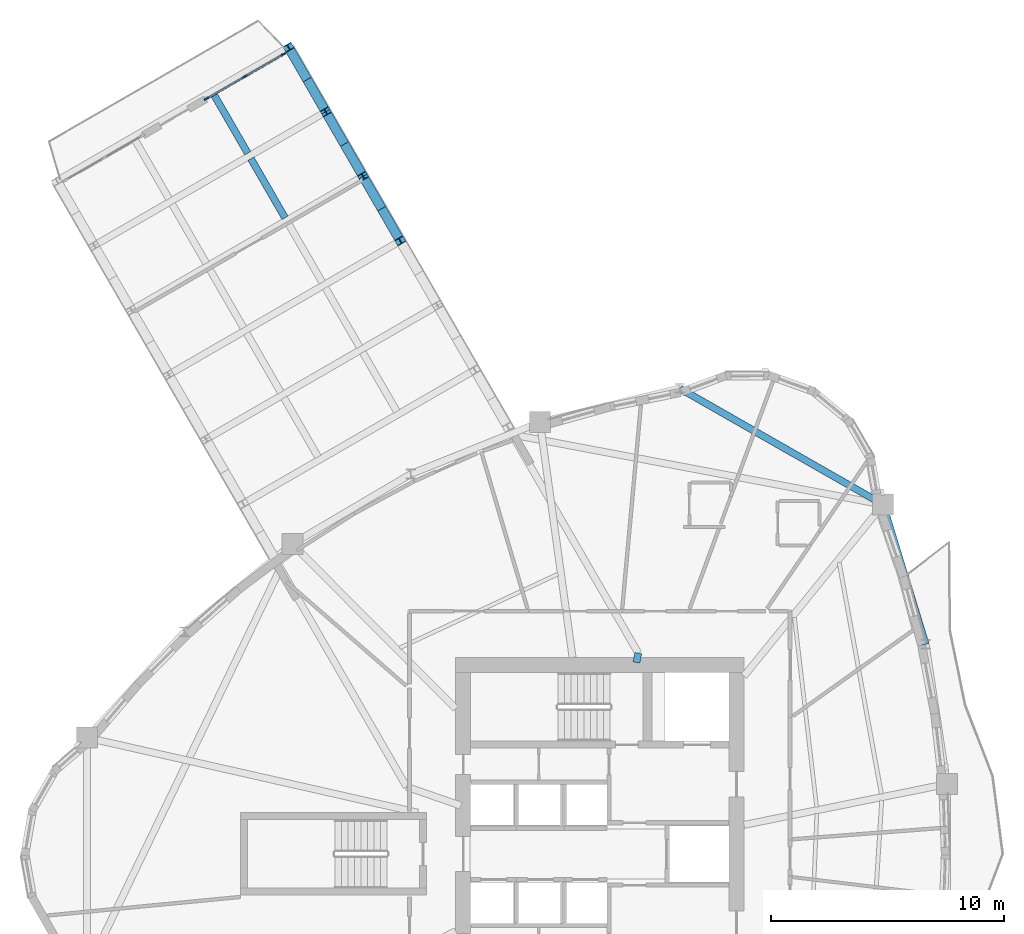
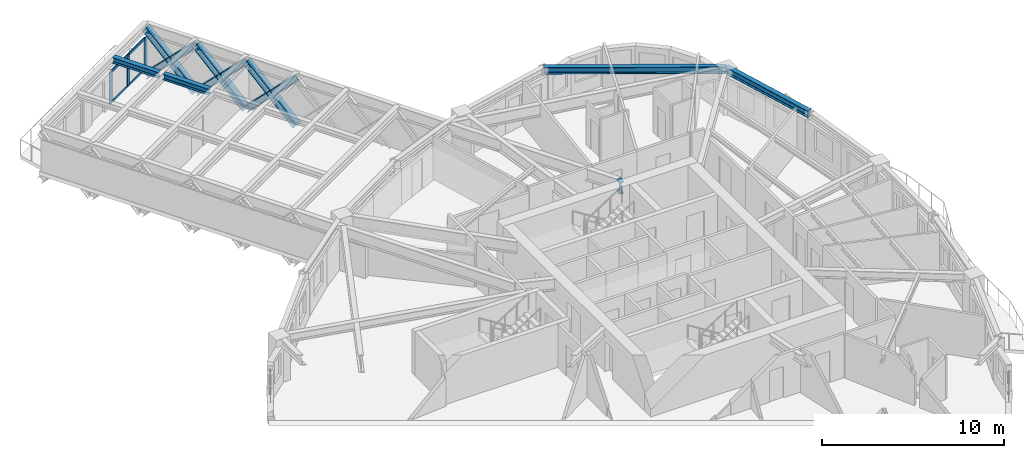
# One storey, part 3 of 14: 13 members, 5 beams, 1 element without a shape of its own.
"""IFC4 building model written with IfcOpenShell, lengths in metres."""

from ifc_helpers import new_model, si_unit, direction, frame, origin, origin_2d, place, context, subcontext, project, spatial, rectangle, i_section, extrude, source, transform, mapped, material, layer, layer_set, material_profile, profile_set, type_object, element, aggregate, save


model = new_model("IFC4")

# Units and contexts
model_context = context("Model", 3, precision=1e-05, world=origin(), true_north=direction((0.0, 1.0)))
body_context = subcontext(model_context, "Body", "Model", "MODEL_VIEW")
ifc_project = project(units=[si_unit("LENGTHUNIT", "METRE"), si_unit("AREAUNIT", "SQUARE_METRE"), si_unit("VOLUMEUNIT", "CUBIC_METRE"), si_unit("PLANEANGLEUNIT", "RADIAN"), si_unit("MASSUNIT", "GRAM", prefix="KILO")], contexts=[model_context])

# Site, building, storey
site_placement = place(None, origin())
site = spatial("IfcSite", under=ifc_project, at=site_placement, CompositionType="ELEMENT")
building_placement = place(site_placement, origin())
building = spatial("IfcBuilding", under=site, at=building_placement, Name="Qafzar Sky-Pleat Residences", CompositionType="ELEMENT")
storey_placement = place(building_placement, frame((0.0, 0.0, 86.39990234375)))
storey = spatial("IfcBuildingStorey", under=building, at=storey_placement, Name="L25", CompositionType="ELEMENT", Elevation=86.39990234375)

# Beams
ifc_material_1 = material(Name="Steel S355", Category="steel")
ifc_material_profile_1 = material_profile(ifc_material_1, i_section(OverallWidth=0.300048828125, OverallDepth=0.449951171875, WebThickness=0.013916015625, FlangeThickness=0.02587890625, FilletRadius=0.027099609375, at=origin_2d()), Name="HEB 450")
ifc_profile_set_1 = profile_set([ifc_material_profile_1], Name="Steel S355")
beam_type_1 = type_object("IfcBeamType", Name="BM-SPAN-HEB450", PredefinedType="SPANDREL", material=ifc_profile_set_1)
shared_shape_1 = source(origin(), body_context, "Body", "SweptSolid", [
    extrude(i_section(OverallWidth=0.300048828125, OverallDepth=0.449951171875, WebThickness=0.013916015625, FlangeThickness=0.02587890625, FilletRadius=0.027099609375, at=origin_2d()), origin(), (0.0, 0.0, 1.0), 10.072021484375),
])
beam_1_placement = place(storey_placement, frame((42.532470703125, 41.01904296875, 2.72314453125), z_axis=(-0.868286397172, 0.496063234363, 0.0), x_axis=(-0.496063234363, -0.868286397172, 0.0)))
element("IfcBeam", 1, at=beam_1_placement, inside=storey, type_object=beam_type_1, Name="L25 Perimeter Spandrel Beam 13", PredefinedType="SPANDREL", context=body_context, shape_type="MappedRepresentation", body=[
    mapped(shared_shape_1, transform((0.0, 0.0, 0.0), x_axis=(1.0, 0.0, 0.0), y_axis=(0.0, 1.0, 0.0), z_axis=(0.0, 0.0, 1.0), scale=1.0)),
])
shared_shape_2 = source(origin(), body_context, "Body", "SweptSolid", [
    extrude(i_section(OverallWidth=0.300048828125, OverallDepth=0.449951171875, WebThickness=0.013916015625, FlangeThickness=0.02587890625, FilletRadius=0.027099609375, at=origin_2d()), origin(), (0.0, 0.0, 1.0), 6.279052734375),
])
beam_2_placement = place(storey_placement, frame((44.35888671875, 35.011474609375, 2.72314453125), z_axis=(-0.290873824385, 0.956761421822, 0.0), x_axis=(-0.956761421822, -0.290873824385, 0.0)))
element("IfcBeam", 2, at=beam_2_placement, inside=storey, type_object=beam_type_1, Name="L25 Perimeter Spandrel Beam 12", PredefinedType="SPANDREL", context=body_context, shape_type="MappedRepresentation", body=[
    mapped(shared_shape_2, transform((0.0, 0.0, 0.0), x_axis=(1.0, 0.0, 0.0), y_axis=(0.0, 1.0, 0.0), z_axis=(0.0, 0.0, 1.0), scale=1.0)),
])
ifc_material_2 = material(Name="Steel S460", Category="steel")
ifc_material_profile_2 = material_profile(ifc_material_2, i_section(OverallWidth=0.300048828125, OverallDepth=0.800048828125, WebThickness=0.017578125, FlangeThickness=0.032958984375, FilletRadius=0.030029296875, at=origin_2d()), Name="HEB 800")
ifc_profile_set_2 = profile_set([ifc_material_profile_2], Name="Steel S460")
beam_type_2 = type_object("IfcBeamType", Name="BM-CHORD-HEB800", PredefinedType="BEAM", material=ifc_profile_set_2)
shared_shape_3 = source(origin(), body_context, "Body", "SweptSolid", [
    extrude(i_section(OverallWidth=0.300048828125, OverallDepth=0.800048828125, WebThickness=0.017578125, FlangeThickness=0.032958984375, FilletRadius=0.030029296875, at=origin_2d()), origin(), (0.0, 0.0, 1.0), 0.416259765625),
])
beam_3_placement = place(storey_placement, frame((32.004638671875, 34.634033203125, 2.546142578125), z_axis=(-0.188216678564, -0.982127528333, 0.0), x_axis=(0.982127528333, -0.188216678564, 0.0)))
element("IfcBeam", 3, at=beam_3_placement, inside=storey, type_object=beam_type_2, Name="L25 SB-2 Core Back-Span Tie Girder R", PredefinedType="BEAM", context=body_context, shape_type="MappedRepresentation", body=[
    mapped(shared_shape_3, transform((0.0, 0.0, 0.0), x_axis=(1.0, 0.0, 0.0), y_axis=(0.0, 1.0, 0.0), z_axis=(0.0, 0.0, 1.0), scale=1.0)),
])
ifc_material_profile_3 = material_profile(ifc_material_1, i_section(OverallWidth=0.300048828125, OverallDepth=0.389892578125, WebThickness=0.010986328125, FlangeThickness=0.01904296875, FilletRadius=0.027099609375, at=origin_2d()), Name="HEA 400")
ifc_profile_set_3 = profile_set([ifc_material_profile_3], Name="Steel S355")
beam_type_3 = type_object("IfcBeamType", Name="BM-SBJ-HEA400", PredefinedType="JOIST", material=ifc_profile_set_3)
shared_shape_4 = source(origin(), body_context, "Body", "SweptSolid", [
    extrude(i_section(OverallWidth=0.300048828125, OverallDepth=0.389892578125, WebThickness=0.010986328125, FlangeThickness=0.01904296875, FilletRadius=0.027099609375, at=origin_2d()), origin(), (0.0, 0.0, 1.0), 2.933837890625),
])
for number, where, z_axis, x_axis, name in (
    (4, (16.81787109375, 53.348388671875, 2.76806640625), (-0.499969776107, 0.866042852854, 0.0), (-0.866042852854, -0.499969776107, 0.0), "L25 SB-2 Sky-Bar Secondary Deck Joist 5.1"),
    (5, (15.216064453125, 56.122802734375, 2.76806640625), (-0.500032187732, 0.866006819391, 0.0), (-0.866006819391, -0.500032187732, 0.0), "L25 SB-2 Sky-Bar Secondary Deck Joist 6.1"),
):
    element("IfcBeam", number, at=place(storey_placement, frame(where, z_axis=z_axis, x_axis=x_axis)), inside=storey, type_object=beam_type_3, Name=name, PredefinedType="JOIST", context=body_context, shape_type="MappedRepresentation", body=[
        mapped(shared_shape_4, transform((0.0, 0.0, 0.0), x_axis=(1.0, 0.0, 0.0), y_axis=(0.0, 1.0, 0.0), z_axis=(0.0, 0.0, 1.0), scale=1.0)),
    ])

# Members
ifc_material_profile_4 = material_profile(ifc_material_2, i_section(OverallWidth=0.40087890625, OverallDepth=0.39892578125, WebThickness=0.02294921875, FlangeThickness=0.035888671875, FilletRadius=0.014892578125, at=origin_2d()), Name="HD 400x314")
ifc_profile_set_4 = profile_set([ifc_material_profile_4], Name="Steel S460")
member_type_1 = type_object("IfcMemberType", Name="MEM-SB-DIAG", PredefinedType="BRACE", material=ifc_profile_set_4)
shared_shape_5 = source(origin(), body_context, "Body", "SweptSolid", [
    extrude(i_section(OverallWidth=0.40087890625, OverallDepth=0.39892578125, WebThickness=0.02294921875, FlangeThickness=0.035888671875, FilletRadius=0.014892578125, at=origin_2d()), origin(), (0.0, 0.0, 1.0), 4.5390625),
])
for number, where, z_axis, x_axis, name in (
    (6, (21.77392578125, 52.354248046875, -0.6669921875), (-0.35295609901, 0.611299308938, 0.708332652829), (-0.866011737025, -0.500023670775, 0.0), "L25 SB-2 Truss Web Diagonal R4A"),
    (7, (21.77392578125, 52.354248046875, 2.548095703125), (-0.35295609901, 0.611299308938, -0.708332652829), (-0.866011737025, -0.500023670775, 0.0), "L25 SB-2 Truss Web Diagonal R4B"),
):
    element("IfcMember", number, at=place(storey_placement, frame(where, z_axis=z_axis, x_axis=x_axis)), inside=storey, type_object=member_type_1, Name=name, PredefinedType="BRACE", context=body_context, shape_type="MappedRepresentation", body=[
        mapped(shared_shape_5, transform((0.0, 0.0, 0.0), x_axis=(1.0, 0.0, 0.0), y_axis=(0.0, 1.0, 0.0), z_axis=(0.0, 0.0, 1.0), scale=1.0)),
    ])
shared_shape_6 = source(origin(), body_context, "Body", "SweptSolid", [
    extrude(i_section(OverallWidth=0.40087890625, OverallDepth=0.39892578125, WebThickness=0.02294921875, FlangeThickness=0.035888671875, FilletRadius=0.014892578125, at=origin_2d()), origin(), (0.0, 0.0, 1.0), 4.538818359375),
])
for number, where, z_axis, x_axis, name in (
    (8, (20.171875, 55.12890625, -0.6669921875), (-0.352909010572, 0.611310913756, 0.708346099714), (-0.866044732957, -0.499966519396, 0.0), "L25 SB-2 Truss Web Diagonal R5A"),
    (9, (20.171875, 55.12890625, 2.548095703125), (-0.352909010572, 0.611310913756, -0.708346099714), (-0.866044732957, -0.499966519396, 0.0), "L25 SB-2 Truss Web Diagonal R5B"),
    (10, (18.570068359375, 57.903564453125, -0.6669921875), (-0.352967704444, 0.611265619216, 0.708355943282), (-0.865992683363, -0.500056669151, 0.0), "L25 SB-2 Truss Web Diagonal R6A"),
    (11, (18.570068359375, 57.903564453125, 2.548095703125), (-0.352967704444, 0.611265619216, -0.708355943282), (-0.865992683363, -0.500056669151, 0.0), "L25 SB-2 Truss Web Diagonal R6B"),
):
    element("IfcMember", number, at=place(storey_placement, frame(where, z_axis=z_axis, x_axis=x_axis)), inside=storey, type_object=member_type_1, Name=name, PredefinedType="BRACE", context=body_context, shape_type="MappedRepresentation", body=[
        mapped(shared_shape_6, transform((0.0, 0.0, 0.0), x_axis=(1.0, 0.0, 0.0), y_axis=(0.0, 1.0, 0.0), z_axis=(0.0, 0.0, 1.0), scale=1.0)),
    ])

# Curtain wall, members
ifc_material_3 = material(Name="Anodised bronze aluminium framing", Category="aluminium")
ifc_layer = layer(ifc_material_3, 0.219970703125)
ifc_layer_set = layer_set([ifc_layer], Name="Anodised bronze aluminium framing")
curtain_wall_type = type_object("IfcCurtainWallType", Name="CW-SYS-03", PredefinedType="NOTDEFINED", material=ifc_layer_set)
curtain_wall_placement = place(storey_placement, origin())
curtain_wall = element("IfcCurtainWall", 12, at=curtain_wall_placement, inside=storey, type_object=curtain_wall_type, Name="L25 CW-03 Curtain Wall CW-L25-SB-2-PROW-R", PredefinedType="NOTDEFINED")
ifc_material_4 = material(Name="Anodised bronze aluminium", Category="aluminium")
ifc_material_profile_5 = material_profile(ifc_material_4, rectangle(XDim=0.070068359375, YDim=0.1650390625, at=origin_2d()), Name="ALU TRANSOM 70x165")
ifc_profile_set_5 = profile_set([ifc_material_profile_5], Name="Anodised bronze aluminium")
member_type_2 = type_object("IfcMemberType", Name="CWT-03", PredefinedType="USERDEFINED", material=ifc_profile_set_5)
shared_shape_7 = source(origin(), body_context, "Body", "SweptSolid", [
    extrude(rectangle(XDim=0.070068359375, YDim=0.1650390625, at=origin_2d()), origin(), (0.0, 0.0, 1.0), 1.8349609375),
])
member_1_placement = place(storey_placement, frame((13.47509765625, 58.488037109375, 0.03515625), z_axis=(0.866023842607, 0.500002704028, 0.0), x_axis=(-0.500002704028, 0.866023842607, 0.0)))
member_1 = element("IfcMember", 13, at=member_1_placement, type_object=member_type_2, Name="CW-03 transom 1.1", ObjectType="TRANSOM", PredefinedType="USERDEFINED", context=body_context, shape_type="MappedRepresentation", body=[
    mapped(shared_shape_7, transform((0.0, 0.0, 0.0), x_axis=(1.0, 0.0, 0.0), y_axis=(0.0, 1.0, 0.0), z_axis=(0.0, 0.0, 1.0), scale=1.0)),
])
member_2_placement = place(storey_placement, frame((13.47509765625, 58.488037109375, 2.09521484375), z_axis=(0.866023842607, 0.500002704028, 0.0), x_axis=(-0.500002704028, 0.866023842607, 0.0)))
member_2 = element("IfcMember", 14, at=member_2_placement, type_object=member_type_2, Name="CW-03 transom 1.2", ObjectType="TRANSOM", PredefinedType="USERDEFINED", context=body_context, shape_type="MappedRepresentation", body=[
    mapped(shared_shape_7, transform((0.0, 0.0, 0.0), x_axis=(1.0, 0.0, 0.0), y_axis=(0.0, 1.0, 0.0), z_axis=(0.0, 0.0, 1.0), scale=1.0)),
])
member_3_placement = place(storey_placement, frame((15.125, 59.440673828125, 0.03515625), z_axis=(0.866023842607, 0.500002704028, 0.0), x_axis=(-0.500002704028, 0.866023842607, 0.0)))
member_3 = element("IfcMember", 15, at=member_3_placement, type_object=member_type_2, Name="CW-03 transom 2.1", ObjectType="TRANSOM", PredefinedType="USERDEFINED", context=body_context, shape_type="MappedRepresentation", body=[
    mapped(shared_shape_7, transform((0.0, 0.0, 0.0), x_axis=(1.0, 0.0, 0.0), y_axis=(0.0, 1.0, 0.0), z_axis=(0.0, 0.0, 1.0), scale=1.0)),
])
member_4_placement = place(storey_placement, frame((15.125, 59.440673828125, 2.09521484375), z_axis=(0.866023842607, 0.500002704028, 0.0), x_axis=(-0.500002704028, 0.866023842607, 0.0)))
member_4 = element("IfcMember", 16, at=member_4_placement, type_object=member_type_2, Name="CW-03 transom 2.2", ObjectType="TRANSOM", PredefinedType="USERDEFINED", context=body_context, shape_type="MappedRepresentation", body=[
    mapped(shared_shape_7, transform((0.0, 0.0, 0.0), x_axis=(1.0, 0.0, 0.0), y_axis=(0.0, 1.0, 0.0), z_axis=(0.0, 0.0, 1.0), scale=1.0)),
])
ifc_material_profile_6 = material_profile(ifc_material_4, rectangle(XDim=0.070068359375, YDim=0.219970703125, at=origin_2d()), Name="ALU MULLION 70x220")
ifc_profile_set_6 = profile_set([ifc_material_profile_6], Name="Anodised bronze aluminium")
member_type_3 = type_object("IfcMemberType", Name="CWM-03", PredefinedType="MULLION", material=ifc_profile_set_6)
shared_shape_8 = source(origin(), body_context, "Body", "SweptSolid", [
    extrude(rectangle(XDim=0.070068359375, YDim=0.219970703125, at=origin_2d()), origin(), (0.0, 0.0, 1.0), 2.130126953125),
])
member_5_placement = place(storey_placement, frame((13.44482421875, 58.470703125, 0.0), z_axis=(0.0, 0.0, 1.0), x_axis=(-0.49999760802, 0.86602678479, 0.0)))
member_5 = element("IfcMember", 17, at=member_5_placement, type_object=member_type_3, Name="CW-03 mullion 1", PredefinedType="MULLION", context=body_context, shape_type="MappedRepresentation", body=[
    mapped(shared_shape_8, transform((0.0, 0.0, 0.0), x_axis=(1.0, 0.0, 0.0), y_axis=(0.0, 1.0, 0.0), z_axis=(0.0, 0.0, 1.0), scale=1.0)),
])
member_6_placement = place(storey_placement, frame((15.094482421875, 59.423095703125, 0.0), z_axis=(0.0, 0.0, 1.0), x_axis=(-0.49999760802, 0.86602678479, 0.0)))
member_6 = element("IfcMember", 18, at=member_6_placement, type_object=member_type_3, Name="CW-03 mullion 2", PredefinedType="MULLION", context=body_context, shape_type="MappedRepresentation", body=[
    mapped(shared_shape_8, transform((0.0, 0.0, 0.0), x_axis=(1.0, 0.0, 0.0), y_axis=(0.0, 1.0, 0.0), z_axis=(0.0, 0.0, 1.0), scale=1.0)),
])
member_7_placement = place(storey_placement, frame((16.744384765625, 60.37548828125, 0.0), z_axis=(0.0, 0.0, 1.0), x_axis=(-0.49999760802, 0.86602678479, 0.0)))
member_7 = element("IfcMember", 19, at=member_7_placement, type_object=member_type_3, Name="CW-03 mullion 3", PredefinedType="MULLION", context=body_context, shape_type="MappedRepresentation", body=[
    mapped(shared_shape_8, transform((0.0, 0.0, 0.0), x_axis=(1.0, 0.0, 0.0), y_axis=(0.0, 1.0, 0.0), z_axis=(0.0, 0.0, 1.0), scale=1.0)),
])
aggregate(curtain_wall, [member_5, member_6, member_7, member_1, member_2, member_3, member_4])

save(model, "model.ifc")
